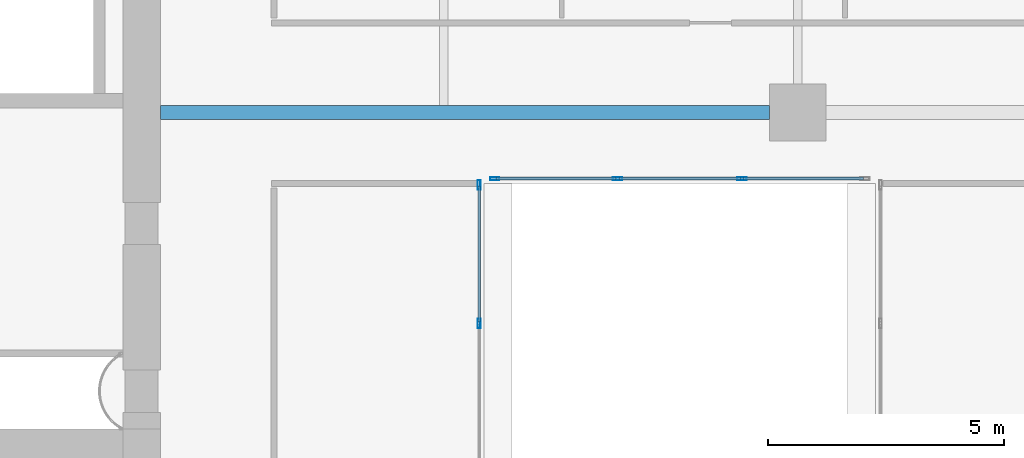
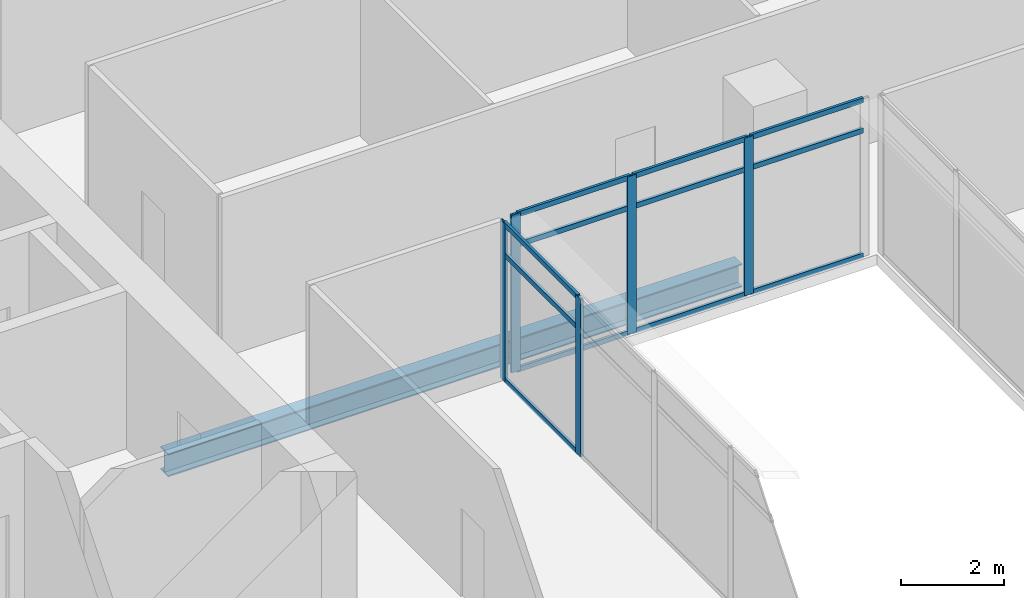
# One storey, part 7 of 40: 17 members, 1 beam, 2 elements without a shape of their own.
"""IFC4 building model written with IfcOpenShell, lengths in metres."""

from ifc_helpers import new_model, si_unit, direction, frame, origin, origin_2d, place, context, subcontext, project, spatial, hollow_rectangle, i_section, extrude, source, transform, mapped, material, material_profile, profile_set, type_object, element, aggregate, save


model = new_model("IFC4")

# Units and contexts
model_context = context("Model", 3, precision=1e-05, world=origin(), true_north=direction((0.0, 1.0)))
body_context = subcontext(model_context, "Body", "Model", "MODEL_VIEW")
ifc_project = project(units=[si_unit("LENGTHUNIT", "METRE"), si_unit("AREAUNIT", "SQUARE_METRE"), si_unit("VOLUMEUNIT", "CUBIC_METRE"), si_unit("PLANEANGLEUNIT", "RADIAN"), si_unit("MASSUNIT", "GRAM", prefix="KILO")], contexts=[model_context])

# Site, building, storey
site_placement = place(None, origin())
site = spatial("IfcSite", under=ifc_project, at=site_placement, CompositionType="ELEMENT")
building_placement = place(site_placement, origin())
building = spatial("IfcBuilding", under=site, at=building_placement, Name="Khomas Fold Tower", CompositionType="ELEMENT")
storey_placement = place(building_placement, frame((0.0, 0.0, 180.699951171875)))
storey = spatial("IfcBuildingStorey", under=building, at=storey_placement, Name="L39", CompositionType="ELEMENT", Elevation=180.699951171875)

# Beam
ifc_material_1 = material(Name="Steel S355", Category="steel")
ifc_material_profile_1 = material_profile(ifc_material_1, i_section(OverallWidth=0.300048828125, OverallDepth=0.550048828125, WebThickness=0.014892578125, FlangeThickness=0.029052734375, at=origin_2d()), Name="HE 550 B")
ifc_profile_set_1 = profile_set([ifc_material_profile_1], Name="Steel S355")
beam_type = type_object("IfcBeamType", Name="HE 550 B beam GB4", PredefinedType="BEAM", material=ifc_profile_set_1)
shared_shape_1 = source(origin(), body_context, "Body", "SweptSolid", [
    extrude(i_section(OverallWidth=0.300048828125, OverallDepth=0.550048828125, WebThickness=0.014892578125, FlangeThickness=0.029052734375, at=origin_2d()), origin(), (0.0, 0.0, 1.0), 12.89990234375),
])
beam_placement = place(storey_placement, frame((21.0, 22.5, -0.52490234375), z_axis=(1.0, 0.0, 0.0), x_axis=(0.0, 1.0, 0.0)))
element("IfcBeam", 1, at=beam_placement, inside=storey, type_object=beam_type, Name="GB4", PredefinedType="BEAM", context=body_context, shape_type="MappedRepresentation", body=[
    mapped(shared_shape_1, transform((0.0, 0.0, 0.0))),
])

# Curtain wall, members
ifc_material_2 = material(Name="Aluminium framed double glazing", Category="aluminium")
curtain_wall_type = type_object("IfcCurtainWallType", Name="Notch glazing GN-CW", PredefinedType="NOTDEFINED", material=ifc_material_2)
curtain_wall_1_placement = place(storey_placement, origin())
curtain_wall_1 = element("IfcCurtainWall", 2, at=curtain_wall_1_placement, inside=storey, type_object=curtain_wall_type, Name="Notch glazing run", PredefinedType="NOTDEFINED")
ifc_material_3 = material(Name="Aluminium", Category="aluminium")
ifc_material_profile_2 = material_profile(ifc_material_3, hollow_rectangle(XDim=0.06005859375, YDim=0.1201171875, WallThickness=0.00390625, at=origin_2d()), Name="Notch glazing transom GN-CW-T")
ifc_profile_set_2 = profile_set([ifc_material_profile_2], Name="Aluminium")
member_type_1 = type_object("IfcMemberType", Name="Notch glazing transom GN-CW-T", PredefinedType="USERDEFINED", material=ifc_profile_set_2)
shared_shape_2 = source(origin(), body_context, "Body", "SweptSolid", [
    extrude(hollow_rectangle(XDim=0.06005859375, YDim=0.1201171875, WallThickness=0.00390625, at=origin_2d()), origin(), (0.0, 0.0, 1.0), 2.876708984375),
])
member_1_placement = place(storey_placement, frame((27.75, 18.063232421875, 0.030029296875), z_axis=(0.0, 1.0, 0.0), x_axis=(-1.0, 0.0, 0.0)))
member_1 = element("IfcMember", 3, at=member_1_placement, type_object=member_type_1, Name="GN-CW transom 6.1", ObjectType="TRANSOM", PredefinedType="USERDEFINED", context=body_context, shape_type="MappedRepresentation", body=[
    mapped(shared_shape_2, transform((0.0, 0.0, 0.0))),
])
member_2_placement = place(storey_placement, frame((27.75, 18.063232421875, 3.0), z_axis=(0.0, 1.0, 0.0), x_axis=(-1.0, 0.0, 0.0)))
member_2 = element("IfcMember", 4, at=member_2_placement, type_object=member_type_1, Name="GN-CW transom 6.2", ObjectType="TRANSOM", PredefinedType="USERDEFINED", context=body_context, shape_type="MappedRepresentation", body=[
    mapped(shared_shape_2, transform((0.0, 0.0, 0.0))),
])
member_3_placement = place(storey_placement, frame((27.75, 18.063232421875, 3.719970703125), z_axis=(0.0, 1.0, 0.0), x_axis=(-1.0, 0.0, 0.0)))
member_3 = element("IfcMember", 5, at=member_3_placement, type_object=member_type_1, Name="GN-CW transom 6.3", ObjectType="TRANSOM", PredefinedType="USERDEFINED", context=body_context, shape_type="MappedRepresentation", body=[
    mapped(shared_shape_2, transform((0.0, 0.0, 0.0))),
])
ifc_material_4 = material(Name="Aluminium", Category="aluminium")
ifc_material_profile_3 = material_profile(ifc_material_4, hollow_rectangle(XDim=0.06005859375, YDim=0.199951171875, WallThickness=0.00390625, at=origin_2d()), Name="Notch glazing mullion GN-CW-M")
ifc_profile_set_3 = profile_set([ifc_material_profile_3], Name="Aluminium")
member_type_2 = type_object("IfcMemberType", Name="Notch glazing mullion GN-CW-M", PredefinedType="MULLION", material=ifc_profile_set_3)
shared_shape_3 = source(origin(), body_context, "Body", "SweptSolid", [
    extrude(hollow_rectangle(XDim=0.06005859375, YDim=0.199951171875, WallThickness=0.00390625, at=origin_2d()), origin(), (0.0, 0.0, 1.0), 3.75),
])
member_4_placement = place(storey_placement, frame((27.75, 18.033447265625, 0.0), z_axis=(0.0, 0.0, 1.0), x_axis=(-1.0, 0.0, 0.0)))
member_4 = element("IfcMember", 6, at=member_4_placement, type_object=member_type_2, Name="GN-CW mullion 6", PredefinedType="MULLION", context=body_context, shape_type="MappedRepresentation", body=[
    mapped(shared_shape_3, transform((0.0, 0.0, 0.0))),
])
member_5_placement = place(storey_placement, frame((27.75, 20.969970703125, 0.0), z_axis=(0.0, 0.0, 1.0), x_axis=(-1.0, 0.0, 0.0)))
member_5 = element("IfcMember", 7, at=member_5_placement, type_object=member_type_2, Name="GN-CW mullion 7", PredefinedType="MULLION", context=body_context, shape_type="MappedRepresentation", body=[
    mapped(shared_shape_3, transform((0.0, 0.0, 0.0))),
])
aggregate(curtain_wall_1, [member_4, member_5, member_1, member_2, member_3])

curtain_wall_2_placement = place(storey_placement, origin())
curtain_wall_2 = element("IfcCurtainWall", 8, at=curtain_wall_2_placement, inside=storey, type_object=curtain_wall_type, Name="Notch glazing run", PredefinedType="NOTDEFINED")
member_6_placement = place(storey_placement, frame((28.080078125, 21.10009765625, 0.0), z_axis=(0.0, 0.0, 1.0), x_axis=(0.0, 1.0, 0.0)))
member_6 = element("IfcMember", 9, at=member_6_placement, type_object=member_type_2, Name="GN-CW mullion 1", PredefinedType="MULLION", context=body_context, shape_type="MappedRepresentation", body=[
    mapped(shared_shape_3, transform((0.0, 0.0, 0.0))),
])
member_7_placement = place(storey_placement, frame((30.683349609375, 21.10009765625, 0.0), z_axis=(0.0, 0.0, 1.0), x_axis=(0.0, 1.0, 0.0)))
member_7 = element("IfcMember", 10, at=member_7_placement, type_object=member_type_2, Name="GN-CW mullion 2", PredefinedType="MULLION", context=body_context, shape_type="MappedRepresentation", body=[
    mapped(shared_shape_3, transform((0.0, 0.0, 0.0))),
])
member_8_placement = place(storey_placement, frame((33.316650390625, 21.10009765625, 0.0), z_axis=(0.0, 0.0, 1.0), x_axis=(0.0, 1.0, 0.0)))
member_8 = element("IfcMember", 11, at=member_8_placement, type_object=member_type_2, Name="GN-CW mullion 3", PredefinedType="MULLION", context=body_context, shape_type="MappedRepresentation", body=[
    mapped(shared_shape_3, transform((0.0, 0.0, 0.0))),
])
shared_shape_4 = source(origin(), body_context, "Body", "SweptSolid", [
    extrude(hollow_rectangle(XDim=0.06005859375, YDim=0.1201171875, WallThickness=0.00390625, at=origin_2d()), origin(), (0.0, 0.0, 1.0), 2.543212890625),
])
member_9_placement = place(storey_placement, frame((28.110107421875, 21.10009765625, 0.030029296875), z_axis=(1.0, 0.0, 0.0), x_axis=(0.0, 1.0, 0.0)))
member_9 = element("IfcMember", 12, at=member_9_placement, type_object=member_type_1, Name="GN-CW transom 1.1", ObjectType="TRANSOM", PredefinedType="USERDEFINED", context=body_context, shape_type="MappedRepresentation", body=[
    mapped(shared_shape_4, transform((0.0, 0.0, 0.0))),
])
member_10_placement = place(storey_placement, frame((28.110107421875, 21.10009765625, 3.0), z_axis=(1.0, 0.0, 0.0), x_axis=(0.0, 1.0, 0.0)))
member_10 = element("IfcMember", 13, at=member_10_placement, type_object=member_type_1, Name="GN-CW transom 1.2", ObjectType="TRANSOM", PredefinedType="USERDEFINED", context=body_context, shape_type="MappedRepresentation", body=[
    mapped(shared_shape_4, transform((0.0, 0.0, 0.0))),
])
member_11_placement = place(storey_placement, frame((28.110107421875, 21.10009765625, 3.719970703125), z_axis=(1.0, 0.0, 0.0), x_axis=(0.0, 1.0, 0.0)))
member_11 = element("IfcMember", 14, at=member_11_placement, type_object=member_type_1, Name="GN-CW transom 1.3", ObjectType="TRANSOM", PredefinedType="USERDEFINED", context=body_context, shape_type="MappedRepresentation", body=[
    mapped(shared_shape_4, transform((0.0, 0.0, 0.0))),
])
member_12_placement = place(storey_placement, frame((33.3466796875, 21.10009765625, 0.030029296875), z_axis=(1.0, 0.0, 0.0), x_axis=(0.0, 1.0, 0.0)))
member_12 = element("IfcMember", 15, at=member_12_placement, type_object=member_type_1, Name="GN-CW transom 3.1", ObjectType="TRANSOM", PredefinedType="USERDEFINED", context=body_context, shape_type="MappedRepresentation", body=[
    mapped(shared_shape_4, transform((0.0, 0.0, 0.0))),
])
member_13_placement = place(storey_placement, frame((33.3466796875, 21.10009765625, 3.0), z_axis=(1.0, 0.0, 0.0), x_axis=(0.0, 1.0, 0.0)))
member_13 = element("IfcMember", 16, at=member_13_placement, type_object=member_type_1, Name="GN-CW transom 3.2", ObjectType="TRANSOM", PredefinedType="USERDEFINED", context=body_context, shape_type="MappedRepresentation", body=[
    mapped(shared_shape_4, transform((0.0, 0.0, 0.0))),
])
member_14_placement = place(storey_placement, frame((33.3466796875, 21.10009765625, 3.719970703125), z_axis=(1.0, 0.0, 0.0), x_axis=(0.0, 1.0, 0.0)))
member_14 = element("IfcMember", 17, at=member_14_placement, type_object=member_type_1, Name="GN-CW transom 3.3", ObjectType="TRANSOM", PredefinedType="USERDEFINED", context=body_context, shape_type="MappedRepresentation", body=[
    mapped(shared_shape_4, transform((0.0, 0.0, 0.0))),
])
shared_shape_5 = source(origin(), body_context, "Body", "SweptSolid", [
    extrude(hollow_rectangle(XDim=0.06005859375, YDim=0.1201171875, WallThickness=0.00390625, at=origin_2d()), origin(), (0.0, 0.0, 1.0), 2.5732421875),
])
member_15_placement = place(storey_placement, frame((30.71337890625, 21.10009765625, 0.030029296875), z_axis=(1.0, 0.0, 0.0), x_axis=(0.0, 1.0, 0.0)))
member_15 = element("IfcMember", 18, at=member_15_placement, type_object=member_type_1, Name="GN-CW transom 2.1", ObjectType="TRANSOM", PredefinedType="USERDEFINED", context=body_context, shape_type="MappedRepresentation", body=[
    mapped(shared_shape_5, transform((0.0, 0.0, 0.0))),
])
member_16_placement = place(storey_placement, frame((30.71337890625, 21.10009765625, 3.0), z_axis=(1.0, 0.0, 0.0), x_axis=(0.0, 1.0, 0.0)))
member_16 = element("IfcMember", 19, at=member_16_placement, type_object=member_type_1, Name="GN-CW transom 2.2", ObjectType="TRANSOM", PredefinedType="USERDEFINED", context=body_context, shape_type="MappedRepresentation", body=[
    mapped(shared_shape_5, transform((0.0, 0.0, 0.0))),
])
member_17_placement = place(storey_placement, frame((30.71337890625, 21.10009765625, 3.719970703125), z_axis=(1.0, 0.0, 0.0), x_axis=(0.0, 1.0, 0.0)))
member_17 = element("IfcMember", 20, at=member_17_placement, type_object=member_type_1, Name="GN-CW transom 2.3", ObjectType="TRANSOM", PredefinedType="USERDEFINED", context=body_context, shape_type="MappedRepresentation", body=[
    mapped(shared_shape_5, transform((0.0, 0.0, 0.0))),
])
aggregate(curtain_wall_2, [member_6, member_7, member_8, member_9, member_10, member_11, member_15, member_16, member_17, member_12, member_13, member_14])

save(model, "model.ifc")
